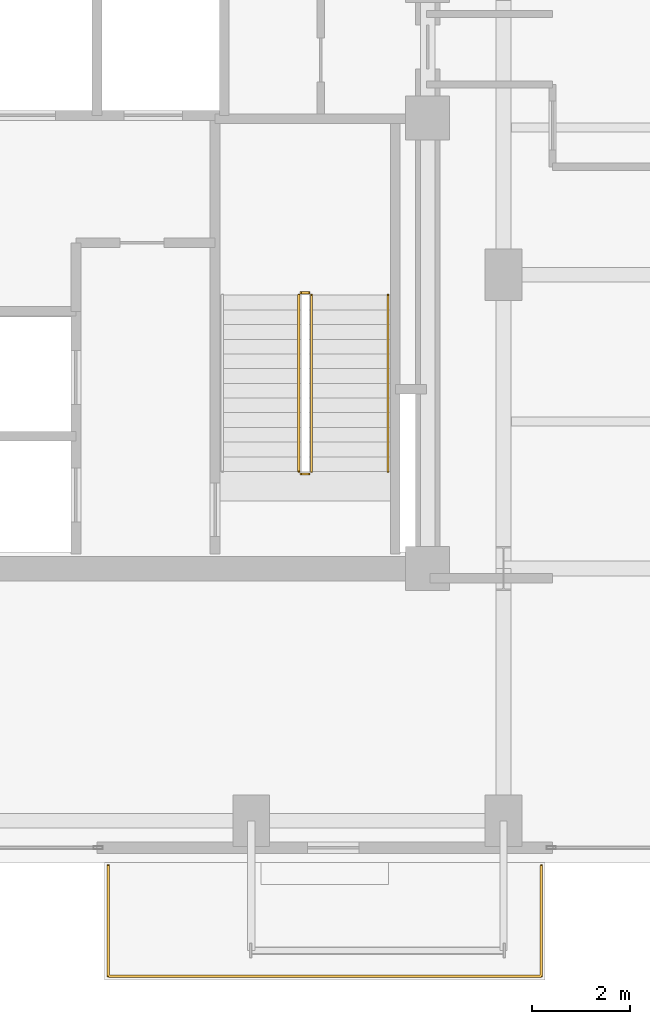
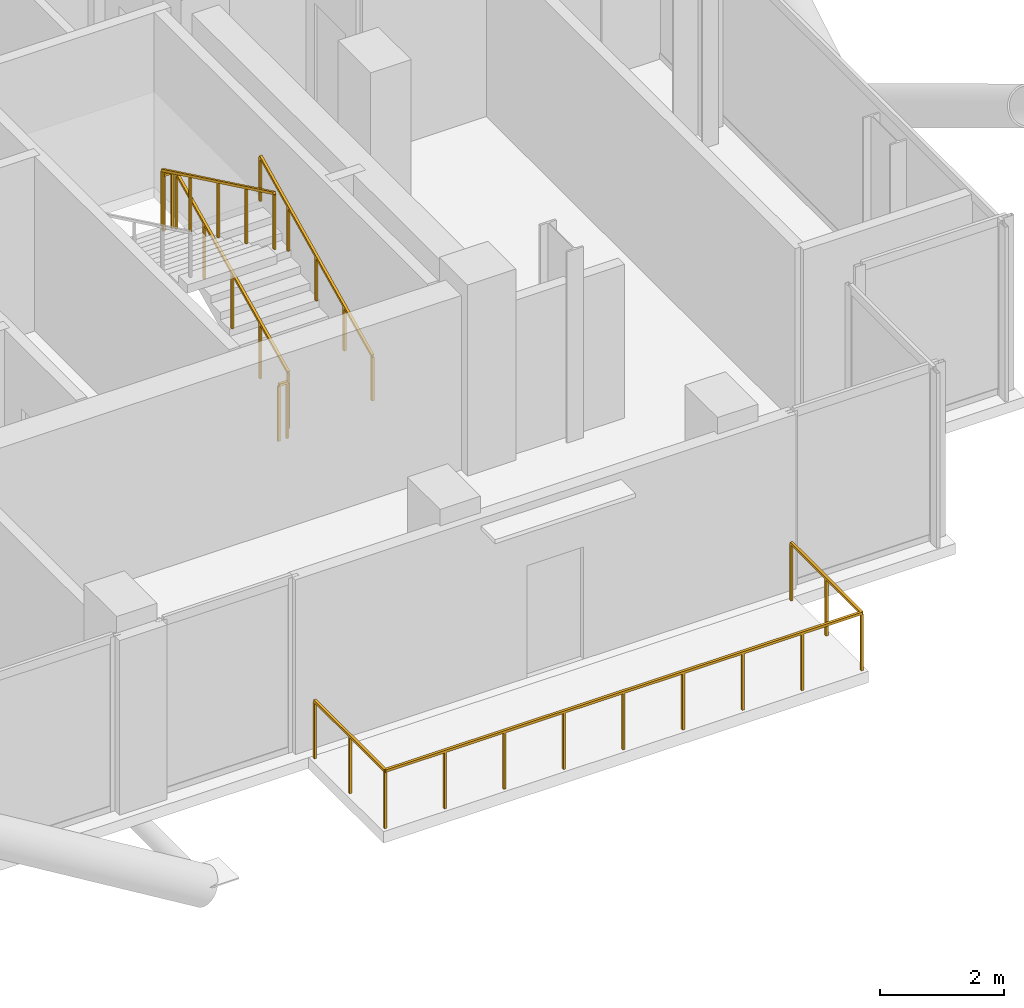
# One storey, part 25 of 25: 6 railings.
"""IFC4 building model written with IfcOpenShell, lengths in metres."""

import ifcopenshell
import ifcopenshell.guid

model = None  # the IFC model being written
_history = None  # IfcOwnerHistory: only IFC2X3 demands one
_inside = {}  # id of a spatial element -> (the spatial element, [elements in it])
_under = {}  # id of a project, library or spatial element -> (it, [spatial elements below it])
_declared = {}  # id of a project -> (the project, [libraries it declares])
_typed = {}  # id of a type object -> (the type object, [elements of that type])
_made_of = {}  # id of a material, layer set ... -> (it, [elements and type objects made of it])


def new_model(schema):
    """Start an empty IFC model of exactly this schema.

    Asked for "IFC4X3", IfcOpenShell would pick the latest addendum, in which some entities
    have other attributes; the version numbers below select the first issue.
    IFC2X3 requires an IfcOwnerHistory on every rooted entity: one is made here for all.
    """
    global model, _history
    if schema == "IFC4X3":
        model = ifcopenshell.file(schema_version=(4, 3, 0, 0))
    else:
        model = ifcopenshell.file(schema=schema)
    _inside.clear()
    _under.clear()
    _declared.clear()
    _typed.clear()
    _made_of.clear()
    _history = None
    if model.schema == "IFC2X3":
        org = make("IfcOrganization", Name="unknown")
        user = make(
            "IfcPersonAndOrganization",
            ThePerson=make("IfcPerson", FamilyName="unknown"),
            TheOrganization=org,
        )
        app = make(
            "IfcApplication",
            ApplicationDeveloper=org,
            Version="unknown",
            ApplicationFullName="unknown",
            ApplicationIdentifier="unknown",
        )
        _history = make(
            "IfcOwnerHistory",
            OwningUser=user,
            OwningApplication=app,
            ChangeAction="ADDED",
            CreationDate=0,
        )
    return model


def make(cls, **values):
    """One entity of the class cls with the attributes given. An attribute that is None is left unset."""
    return model.create_entity(
        cls, **{name: value for name, value in values.items() if value is not None}
    )


def rooted(cls, **values):
    """An entity with a GlobalId (a new one), such as an element, a storey or a relation."""
    return make(cls, GlobalId=ifcopenshell.guid.new(), OwnerHistory=_history, **values)


def si_unit(unit_type, name, prefix=None):
    """IfcSIUnit, for example si_unit("LENGTHUNIT", "METRE", prefix="MILLI")."""
    return make("IfcSIUnit", UnitType=unit_type, Prefix=prefix, Name=name)


def assignment(units):
    """IfcUnitAssignment: the units of a project."""
    return None if units is None else make("IfcUnitAssignment", Units=units)


def point(xyz):
    """IfcCartesianPoint."""
    return None if xyz is None else make("IfcCartesianPoint", Coordinates=xyz)


def direction(xyz):
    """IfcDirection."""
    return None if xyz is None else make("IfcDirection", DirectionRatios=xyz)


def frame(location, z_axis=None, x_axis=None):
    """IfcAxis2Placement3D, a coordinate frame: its origin and axes. An axis left out is left unset."""
    return make(
        "IfcAxis2Placement3D",
        Location=point(location),
        Axis=direction(z_axis),
        RefDirection=direction(x_axis),
    )


def frame_2d(location, x_axis=None):
    """IfcAxis2Placement2D, a coordinate frame in the plane: its origin and x axis."""
    return make(
        "IfcAxis2Placement2D", Location=point(location), RefDirection=direction(x_axis)
    )


def origin():
    """The frame at (0, 0, 0) with its axes left unset."""
    return frame((0.0, 0.0, 0.0))


def origin_2d():
    """The frame at (0, 0) in the plane with its x axis left unset."""
    return frame_2d((0.0, 0.0))


def place(relative_to, where):
    """IfcLocalPlacement: puts the frame where relative to a parent placement (None: the world)."""
    return make(
        "IfcLocalPlacement", PlacementRelTo=relative_to, RelativePlacement=where
    )


def context(
    kind, dimensions, precision=None, world=None, true_north=None, identifier=None
):
    """IfcGeometricRepresentationContext, for example the 3D "Model" context."""
    return make(
        "IfcGeometricRepresentationContext",
        ContextIdentifier=identifier,
        ContextType=kind,
        CoordinateSpaceDimension=dimensions,
        Precision=precision,
        WorldCoordinateSystem=world,
        TrueNorth=true_north,
    )


def subcontext(parent, identifier, kind, view, scale=None):
    """IfcGeometricRepresentationSubContext, for example "Body" below "Model"."""
    return make(
        "IfcGeometricRepresentationSubContext",
        ContextIdentifier=identifier,
        ContextType=kind,
        ParentContext=parent,
        TargetScale=scale,
        TargetView=view,
    )


def project(units=None, contexts=None):
    """IfcProject with its units and contexts."""
    return rooted(
        "IfcProject",
        Name="project",
        RepresentationContexts=contexts,
        UnitsInContext=assignment(units),
    )


def spatial(cls, under=None, at=None, **own):
    """A site, building, storey or space (cls), placed at a placement, below another one or the project."""
    s = rooted(cls, ObjectPlacement=at, **own)
    if under is not None:
        _under.setdefault(under.id(), (under, []))[1].append(s)
    return s


def profile(cls, at=None, kind="AREA", **sizes):
    """A parametric profile (cls). Its sizes go by their IFC names, for example OverallWidth=200.0."""
    return make(cls, ProfileType=kind, Position=at, **sizes)


def rectangle(**sizes):
    """IfcRectangleProfileDef."""
    return profile("IfcRectangleProfileDef", **sizes)


def extrude(swept, where, along, depth):
    """IfcExtrudedAreaSolid: the profile swept, set in the frame where, extruded along a direction by depth."""
    return make(
        "IfcExtrudedAreaSolid",
        SweptArea=swept,
        Position=where,
        ExtrudedDirection=direction(along),
        Depth=depth,
    )


def shape(context_of_items, identifier, shape_type, items):
    """IfcShapeRepresentation: the items that make up one representation, for example the "Body"."""
    return make(
        "IfcShapeRepresentation",
        ContextOfItems=context_of_items,
        RepresentationIdentifier=identifier,
        RepresentationType=shape_type,
        Items=items,
    )


def material(Name=None, Category=None):
    """IfcMaterial."""
    return make("IfcMaterial", Name=Name, Category=Category)


def made_of(thing, what):
    """Note that an element or type object is made of a material, layer set ...; save() writes the relation."""
    if what is not None:
        _made_of.setdefault(what.id(), (what, []))[1].append(thing)
    return thing


def type_object(cls, material=None, **own):
    """A type object (cls), such as IfcWallType, which elements share."""
    return made_of(rooted(cls, **own), material)


def element(
    cls,
    number,
    at=None,
    inside=None,
    cuts=None,
    type_object=None,
    material=None,
    context=None,
    identifier="Body",
    shape_type=None,
    held_by="IfcProductDefinitionShape",
    body=None,
    shapes=None,
    **own,
):
    """One element of the class cls, such as IfcWall. Its Tag is "e" and its number.

    at: its placement. inside: the storey or other place that contains it. cuts: it is an
    opening in that element (IfcRelVoidsElement). A single representation is given by context,
    identifier, shape_type and body (its items); several are given by shapes. held_by: the class
    of the entity that holds the representations. save() writes the other relations.
    """
    e = rooted(cls, Tag="e%d" % number, ObjectPlacement=at, **own)
    if body is not None:
        shapes = [shape(context, identifier, shape_type, body)]
    if shapes is not None:
        e.Representation = make(held_by, Representations=shapes)
    if inside is not None:
        _inside.setdefault(inside.id(), (inside, []))[1].append(e)
    if cuts is not None:
        rooted(
            "IfcRelVoidsElement", RelatingBuildingElement=cuts, RelatedOpeningElement=e
        )
    if type_object is not None:
        _typed.setdefault(type_object.id(), (type_object, []))[1].append(e)
    return made_of(e, material)


def aggregate(whole, parts):
    """IfcRelAggregates: a whole, such as a stair, and the parts it consists of."""
    return rooted("IfcRelAggregates", RelatingObject=whole, RelatedObjects=parts)


def save(model, path):
    """Write the relations noted so far, then the file.

    IfcRelAggregates (storeys below a building ...), IfcRelContainedInSpatialStructure (elements
    in a storey), IfcRelDefinesByType, IfcRelAssociatesMaterial and IfcRelDeclares: one each for
    every whole, place, type object, material and project.
    """
    for whole, parts in _under.values():
        aggregate(whole, parts)
    for where, things in _inside.values():
        rooted(
            "IfcRelContainedInSpatialStructure",
            RelatedElements=things,
            RelatingStructure=where,
        )
    for kind, things in _typed.values():
        rooted("IfcRelDefinesByType", RelatedObjects=things, RelatingType=kind)
    for what, things in _made_of.values():
        rooted("IfcRelAssociatesMaterial", RelatedObjects=things, RelatingMaterial=what)
    for by, libraries in _declared.values():
        rooted("IfcRelDeclares", RelatingContext=by, RelatedDefinitions=libraries)
    model.write(path)


model = new_model("IFC4")

# Units and contexts
model_context = context("Model", 3, precision=1e-05, world=origin(), true_north=direction((0.0, 1.0)))
body_context = subcontext(model_context, "Body", "Model", "MODEL_VIEW")
ifc_project = project(units=[si_unit("LENGTHUNIT", "METRE"), si_unit("AREAUNIT", "SQUARE_METRE"), si_unit("VOLUMEUNIT", "CUBIC_METRE"), si_unit("PLANEANGLEUNIT", "RADIAN"), si_unit("MASSUNIT", "GRAM", prefix="KILO"), si_unit("THERMODYNAMICTEMPERATUREUNIT", "KELVIN"), si_unit("POWERUNIT", "WATT")], contexts=[model_context])

# Site, building, storey
site_placement = place(None, origin())
site = spatial("IfcSite", under=ifc_project, at=site_placement, CompositionType="ELEMENT")
building_placement = place(site_placement, origin())
building = spatial("IfcBuilding", under=site, at=building_placement, Name="Svarakhadi Broadcast Tower", CompositionType="ELEMENT")
storey_placement = place(building_placement, frame((0.0, 0.0, 231.14990234375)))
storey = spatial("IfcBuildingStorey", under=building, at=storey_placement, Name="L57", CompositionType="ELEMENT", Elevation=231.14990234375)

# Railings
ifc_material_1 = material(Name="Laminated Structural SentryGlas Balustrade 25.5 mm", Category="glass")
railing_type_1 = type_object("IfcRailingType", Name="Guard_Balcony_GR01", PredefinedType="BALUSTRADE", material=ifc_material_1)
railing_1_placement = place(storey_placement, frame((27.080078125, -0.06005859375, 0.0)))
element("IfcRailing", 1, at=railing_1_placement, inside=storey, type_object=railing_type_1, Name="L57 South Tree Balcony Guard GR-05", PredefinedType="BALUSTRADE", context=body_context, shape_type="SweptSolid", body=[
    extrude(rectangle(XDim=0.048095703125, YDim=0.048095703125, at=origin_2d()), frame((0.0, 0.0, 1.1259765625), z_axis=(0.0, -1.0, 0.0), x_axis=(1.0, 0.0, 0.0)), (0.0, 0.0, 1.0), 2.260009765625),
    extrude(rectangle(XDim=0.048095703125, YDim=0.048095703125, at=origin_2d()), frame((0.0, -2.260009765625, 1.1259765625), z_axis=(1.0, 0.0, 0.0), x_axis=(0.0, 1.0, 0.0)), (0.0, 0.0, 1.0), 8.83984375),
    extrude(rectangle(XDim=0.048095703125, YDim=0.048095703125, at=origin_2d()), frame((8.83984375, -2.260009765625, 1.1259765625), z_axis=(0.0, 1.0, 0.0), x_axis=(-1.0, 0.0, 0.0)), (0.0, 0.0, 1.0), 2.260009765625),
    extrude(rectangle(XDim=0.0419921875, YDim=0.0419921875, at=origin_2d()), origin(), (0.0, 0.0, 1.0), 1.101806640625),
    extrude(rectangle(XDim=0.0419921875, YDim=0.0419921875, at=origin_2d()), frame((0.0, -1.1298828125, 0.0)), (0.0, 0.0, 1.0), 1.101806640625),
    extrude(rectangle(XDim=0.0419921875, YDim=0.0419921875, at=origin_2d()), frame((0.0, -2.260009765625, 0.0)), (0.0, 0.0, 1.0), 1.101806640625),
    extrude(rectangle(XDim=0.0419921875, YDim=0.0419921875, at=origin_2d()), frame((1.10498046875, -2.260009765625, 0.0)), (0.0, 0.0, 1.0), 1.101806640625),
    extrude(rectangle(XDim=0.0419921875, YDim=0.0419921875, at=origin_2d()), frame((2.2099609375, -2.260009765625, 0.0)), (0.0, 0.0, 1.0), 1.101806640625),
    extrude(rectangle(XDim=0.0419921875, YDim=0.0419921875, at=origin_2d()), frame((3.31494140625, -2.260009765625, 0.0)), (0.0, 0.0, 1.0), 1.101806640625),
    extrude(rectangle(XDim=0.0419921875, YDim=0.0419921875, at=origin_2d()), frame((4.419921875, -2.260009765625, 0.0)), (0.0, 0.0, 1.0), 1.101806640625),
    extrude(rectangle(XDim=0.0419921875, YDim=0.0419921875, at=origin_2d()), frame((5.52490234375, -2.260009765625, 0.0)), (0.0, 0.0, 1.0), 1.101806640625),
    extrude(rectangle(XDim=0.0419921875, YDim=0.0419921875, at=origin_2d()), frame((6.6298828125, -2.260009765625, 0.0)), (0.0, 0.0, 1.0), 1.101806640625),
    extrude(rectangle(XDim=0.0419921875, YDim=0.0419921875, at=origin_2d()), frame((7.73486328125, -2.260009765625, 0.0)), (0.0, 0.0, 1.0), 1.101806640625),
    extrude(rectangle(XDim=0.0419921875, YDim=0.0419921875, at=origin_2d()), frame((8.83984375, -2.260009765625, 0.0)), (0.0, 0.0, 1.0), 1.101806640625),
    extrude(rectangle(XDim=0.0419921875, YDim=0.0419921875, at=origin_2d()), frame((8.83984375, -1.1298828125, 0.0)), (0.0, 0.0, 1.0), 1.101806640625),
    extrude(rectangle(XDim=0.0419921875, YDim=0.0419921875, at=origin_2d()), frame((8.83984375, 0.0, 0.0)), (0.0, 0.0, 1.0), 1.101806640625),
])
ifc_material_2 = material(Name="Anodised Bronze Aluminium AA 6063-T6", Category="aluminium")
railing_type_2 = type_object("IfcRailingType", Name="Guard_Stair_GR01", PredefinedType="GUARDRAIL", material=ifc_material_2)
railing_2_placement = place(storey_placement, frame((31.22998046875, 7.97998046875, 0.144287109375)))
element("IfcRailing", 2, at=railing_2_placement, inside=storey, type_object=railing_type_2, Name="L57 ST-02 stair guard 1", PredefinedType="GUARDRAIL", context=body_context, shape_type="SweptSolid", body=[
    extrude(rectangle(XDim=0.048095703125, YDim=0.048095703125, at=origin_2d()), frame((0.0, 0.0, 1.09619140625), z_axis=(0.0, 0.901262522062, 0.433273431364), x_axis=(-1.0, 0.0, 0.0)), (0.0, 0.0, 1.0), 3.994384765625),
    extrude(rectangle(XDim=0.0419921875, YDim=0.0419921875, at=origin_2d()), origin(), (0.0, 0.0, 1.0), 1.072021484375),
    extrude(rectangle(XDim=0.0419921875, YDim=0.0419921875, at=origin_2d()), frame((0.0, 0.89990234375, 0.4326171875)), (0.0, 0.0, 1.0), 1.072021484375),
    extrude(rectangle(XDim=0.0419921875, YDim=0.0419921875, at=origin_2d()), frame((0.0, 1.800048828125, 0.865234375)), (0.0, 0.0, 1.0), 1.072021484375),
    extrude(rectangle(XDim=0.0419921875, YDim=0.0419921875, at=origin_2d()), frame((0.0, 2.7001953125, 1.298095703125)), (0.0, 0.0, 1.0), 1.072021484375),
    extrude(rectangle(XDim=0.0419921875, YDim=0.0419921875, at=origin_2d()), frame((0.0, 3.60009765625, 1.730712890625)), (0.0, 0.0, 1.0), 1.072021484375),
])
railing_3_placement = place(storey_placement, frame((31.179931640625, 11.6298828125, 1.875)))
element("IfcRailing", 3, at=railing_3_placement, inside=storey, type_object=railing_type_2, Name="L57 ST-02 stair guard 2", PredefinedType="GUARDRAIL", context=body_context, shape_type="SweptSolid", body=[
    extrude(rectangle(XDim=0.048095703125, YDim=0.048095703125, at=origin_2d()), frame((0.0, 0.0, 1.09619140625), z_axis=(-1.0, 0.0, 0.0), x_axis=(0.0, -1.0, 0.0)), (0.0, 0.0, 1.0), 0.159912109375),
    extrude(rectangle(XDim=0.0419921875, YDim=0.0419921875, at=origin_2d()), origin(), (0.0, 0.0, 1.0), 1.072021484375),
    extrude(rectangle(XDim=0.0419921875, YDim=0.0419921875, at=origin_2d()), frame((-0.159912109375, 0.0, 0.0)), (0.0, 0.0, 1.0), 1.072021484375),
])
railing_4_placement = place(storey_placement, frame((30.969970703125, 11.580078125, 2.019287109375)))
element("IfcRailing", 4, at=railing_4_placement, inside=storey, type_object=railing_type_2, Name="L57 ST-02 stair guard 3", PredefinedType="GUARDRAIL", context=body_context, shape_type="SweptSolid", body=[
    extrude(rectangle(XDim=0.048095703125, YDim=0.048095703125, at=origin_2d()), frame((0.0, 0.0, 1.09619140625), z_axis=(0.0, -0.901262522062, 0.433273431364), x_axis=(1.0, 0.0, 0.0)), (0.0, 0.0, 1.0), 3.994384765625),
    extrude(rectangle(XDim=0.0419921875, YDim=0.0419921875, at=origin_2d()), origin(), (0.0, 0.0, 1.0), 1.072021484375),
    extrude(rectangle(XDim=0.0419921875, YDim=0.0419921875, at=origin_2d()), frame((0.0, -0.89990234375, 0.4326171875)), (0.0, 0.0, 1.0), 1.072021484375),
    extrude(rectangle(XDim=0.0419921875, YDim=0.0419921875, at=origin_2d()), frame((0.0, -1.800048828125, 0.865234375)), (0.0, 0.0, 1.0), 1.072021484375),
    extrude(rectangle(XDim=0.0419921875, YDim=0.0419921875, at=origin_2d()), frame((0.0, -2.7001953125, 1.298095703125)), (0.0, 0.0, 1.0), 1.072021484375),
    extrude(rectangle(XDim=0.0419921875, YDim=0.0419921875, at=origin_2d()), frame((0.0, -3.60009765625, 1.730712890625)), (0.0, 0.0, 1.0), 1.072021484375),
])
railing_5_placement = place(storey_placement, frame((31.179931640625, 7.929931640625, 0.0)))
element("IfcRailing", 5, at=railing_5_placement, inside=storey, type_object=railing_type_2, Name="L57 ST-02 stair guard 4", PredefinedType="GUARDRAIL", context=body_context, shape_type="SweptSolid", body=[
    extrude(rectangle(XDim=0.048095703125, YDim=0.048095703125, at=origin_2d()), frame((0.0, 0.0, 1.09619140625), z_axis=(-1.0, 0.0, 0.0), x_axis=(0.0, -1.0, 0.0)), (0.0, 0.0, 1.0), 0.159912109375),
    extrude(rectangle(XDim=0.0419921875, YDim=0.0419921875, at=origin_2d()), origin(), (0.0, 0.0, 1.0), 1.072021484375),
    extrude(rectangle(XDim=0.0419921875, YDim=0.0419921875, at=origin_2d()), frame((-0.159912109375, 0.0, 0.0)), (0.0, 0.0, 1.0), 1.072021484375),
])
railing_type_3 = type_object("IfcRailingType", Name="Handrail_Stair_HR01", PredefinedType="HANDRAIL", material=ifc_material_2)
railing_6_placement = place(storey_placement, frame((32.7900390625, 7.97998046875, 0.144287109375)))
element("IfcRailing", 6, at=railing_6_placement, inside=storey, type_object=railing_type_3, Name="L57 ST-02 stair handrail 1", PredefinedType="HANDRAIL", context=body_context, shape_type="SweptSolid", body=[
    extrude(rectangle(XDim=0.048095703125, YDim=0.048095703125, at=origin_2d()), frame((0.0, 0.0, 0.8759765625), z_axis=(0.0, 0.901262522062, 0.433273431364), x_axis=(-1.0, 0.0, 0.0)), (0.0, 0.0, 1.0), 3.994384765625),
    extrude(rectangle(XDim=0.0419921875, YDim=0.0419921875, at=origin_2d()), origin(), (0.0, 0.0, 1.0), 0.851806640625),
    extrude(rectangle(XDim=0.0419921875, YDim=0.0419921875, at=origin_2d()), frame((0.0, 0.89990234375, 0.4326171875)), (0.0, 0.0, 1.0), 0.851806640625),
    extrude(rectangle(XDim=0.0419921875, YDim=0.0419921875, at=origin_2d()), frame((0.0, 1.800048828125, 0.865234375)), (0.0, 0.0, 1.0), 0.851806640625),
    extrude(rectangle(XDim=0.0419921875, YDim=0.0419921875, at=origin_2d()), frame((0.0, 2.7001953125, 1.298095703125)), (0.0, 0.0, 1.0), 0.851806640625),
    extrude(rectangle(XDim=0.0419921875, YDim=0.0419921875, at=origin_2d()), frame((0.0, 3.60009765625, 1.730712890625)), (0.0, 0.0, 1.0), 0.851806640625),
])

save(model, "model.ifc")
